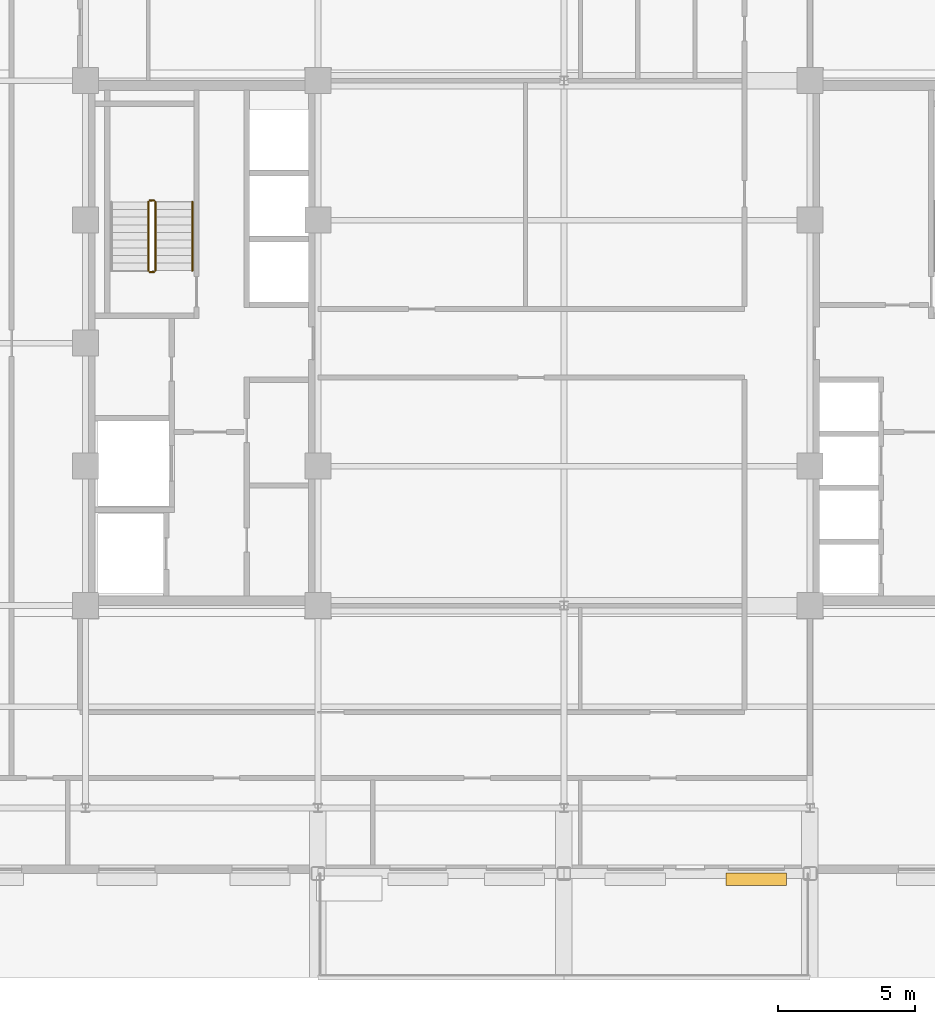
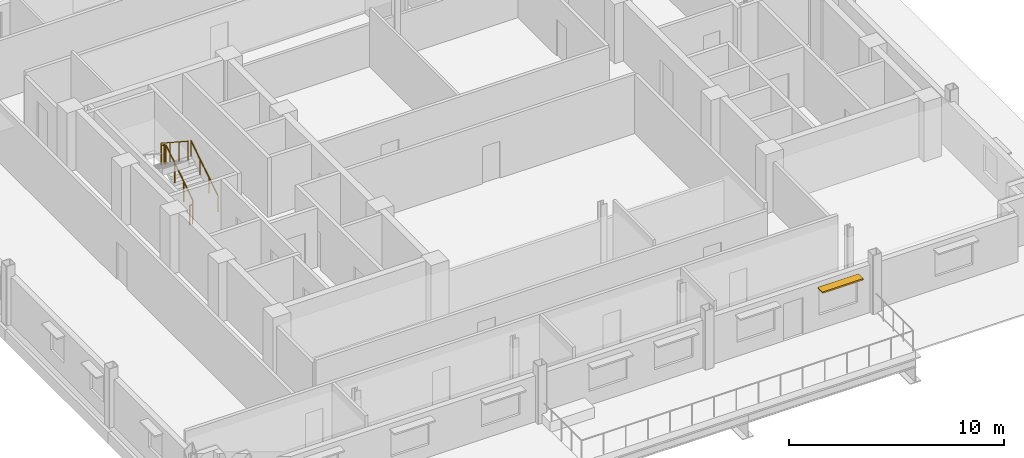
# One storey, part 13 of 16: 5 railings, 1 shading device.
"""IFC4 building model written with IfcOpenShell, lengths in metres."""

from ifc_helpers import new_model, si_unit, direction, frame, origin, origin_2d, place, context, subcontext, project, spatial, rectangle, circle, extrude, source, transform, mapped, material, type_object, type_shapes, element, save


model = new_model("IFC4")

# Units and contexts
model_context = context("Model", 3, precision=1e-05, world=origin(), true_north=direction((0.0, 1.0)))
body_context = subcontext(model_context, "Body", "Model", "MODEL_VIEW")
ifc_project = project(units=[si_unit("LENGTHUNIT", "METRE"), si_unit("AREAUNIT", "SQUARE_METRE"), si_unit("VOLUMEUNIT", "CUBIC_METRE"), si_unit("PLANEANGLEUNIT", "RADIAN"), si_unit("MASSUNIT", "GRAM", prefix="KILO")], contexts=[model_context])

# Site, building, storey
site_placement = place(None, origin())
site = spatial("IfcSite", under=ifc_project, at=site_placement, CompositionType="ELEMENT")
building_placement = place(site_placement, origin())
building = spatial("IfcBuilding", under=site, at=building_placement, Name="Nuvemarco Arch Tower", CompositionType="ELEMENT")
storey_placement = place(building_placement, frame((0.0, 0.0, 209.14990234375)))
storey = spatial("IfcBuildingStorey", under=building, at=storey_placement, Name="L55", CompositionType="ELEMENT", Elevation=209.14990234375)

# Railings
ifc_material_1 = material(Name="Brushed stainless steel handrail", Category="steel")
railing_type_1 = type_object("IfcRailingType", Name="RL-HANDRAIL-900", PredefinedType="HANDRAIL", material=ifc_material_1)
railing_1_placement = place(storey_placement, frame((-13.590087890625, 2.64990234375, 0.1826171875)))
element("IfcRailing", 1, at=railing_1_placement, inside=storey, type_object=railing_type_1, Name="L55 ST-1 stair handrail 1", PredefinedType="HANDRAIL", context=body_context, shape_type="SweptSolid", body=[
    extrude(circle(Radius=0.02392578125, at=origin_2d()), frame((0.0, 0.0, 0.8759765625), z_axis=(0.0, 0.837749427056, 0.546054848405), x_axis=(-1.0, 0.0, 0.0)), (0.0, 0.0, 1.0), 3.008056640625),
    extrude(circle(Radius=0.02099609375, at=origin_2d()), origin(), (0.0, 0.0, 1.0), 0.851806640625),
    extrude(circle(Radius=0.02099609375, at=origin_2d()), frame((0.0, 0.840087890625, 0.547607421875)), (0.0, 0.0, 1.0), 0.851806640625),
    extrude(circle(Radius=0.02099609375, at=origin_2d()), frame((0.0, 1.679931640625, 1.094970703125)), (0.0, 0.0, 1.0), 0.851806640625),
    extrude(circle(Radius=0.02099609375, at=origin_2d()), frame((0.0, 2.52001953125, 1.642578125)), (0.0, 0.0, 1.0), 0.851806640625),
])
ifc_material_2 = material(Name="Painted balustrade steel S355", Category="steel")
railing_type_2 = type_object("IfcRailingType", Name="RL-STAIR-GUARD", PredefinedType="GUARDRAIL", material=ifc_material_2)
railing_2_placement = place(storey_placement, frame((-14.93994140625, 2.64990234375, 0.1826171875)))
element("IfcRailing", 2, at=railing_2_placement, inside=storey, type_object=railing_type_2, Name="L55 ST-1 stair guard 1", PredefinedType="GUARDRAIL", context=body_context, shape_type="SweptSolid", body=[
    extrude(circle(Radius=0.02392578125, at=origin_2d()), frame((0.0, 0.0, 1.09619140625), z_axis=(0.0, 0.837749427056, 0.546054848405), x_axis=(-1.0, 0.0, 0.0)), (0.0, 0.0, 1.0), 3.008056640625),
    extrude(circle(Radius=0.02099609375, at=origin_2d()), origin(), (0.0, 0.0, 1.0), 1.072021484375),
    extrude(circle(Radius=0.02099609375, at=origin_2d()), frame((0.0, 0.840087890625, 0.547607421875)), (0.0, 0.0, 1.0), 1.072021484375),
    extrude(circle(Radius=0.02099609375, at=origin_2d()), frame((0.0, 1.679931640625, 1.094970703125)), (0.0, 0.0, 1.0), 1.072021484375),
    extrude(circle(Radius=0.02099609375, at=origin_2d()), frame((0.0, 2.52001953125, 1.642578125)), (0.0, 0.0, 1.0), 1.072021484375),
])
railing_3_placement = place(storey_placement, frame((-14.989990234375, 5.219970703125, 1.8251953125)))
element("IfcRailing", 3, at=railing_3_placement, inside=storey, type_object=railing_type_2, Name="L55 ST-1 stair guard 2", PredefinedType="GUARDRAIL", context=body_context, shape_type="SweptSolid", body=[
    extrude(circle(Radius=0.02392578125, at=origin_2d()), frame((0.0, 0.0, 1.09619140625), z_axis=(-1.0, 0.0, 0.0), x_axis=(0.0, -1.0, 0.0)), (0.0, 0.0, 1.0), 0.159912109375),
    extrude(circle(Radius=0.02099609375, at=origin_2d()), origin(), (0.0, 0.0, 1.0), 1.072021484375),
    extrude(circle(Radius=0.02099609375, at=origin_2d()), frame((-0.159912109375, 0.0, 0.0)), (0.0, 0.0, 1.0), 1.072021484375),
])
railing_4_placement = place(storey_placement, frame((-15.199951171875, 5.169921875, 2.007568359375)))
element("IfcRailing", 4, at=railing_4_placement, inside=storey, type_object=railing_type_2, Name="L55 ST-1 stair guard 3", PredefinedType="GUARDRAIL", context=body_context, shape_type="SweptSolid", body=[
    extrude(circle(Radius=0.02392578125, at=origin_2d()), frame((0.0, 0.0, 1.09619140625), z_axis=(0.0, -0.837749427056, 0.546054848405), x_axis=(1.0, 0.0, 0.0)), (0.0, 0.0, 1.0), 3.008056640625),
    extrude(circle(Radius=0.02099609375, at=origin_2d()), origin(), (0.0, 0.0, 1.0), 1.072021484375),
    extrude(circle(Radius=0.02099609375, at=origin_2d()), frame((0.0, -0.840087890625, 0.547607421875)), (0.0, 0.0, 1.0), 1.072021484375),
    extrude(circle(Radius=0.02099609375, at=origin_2d()), frame((0.0, -1.679931640625, 1.094970703125)), (0.0, 0.0, 1.0), 1.072021484375),
    extrude(circle(Radius=0.02099609375, at=origin_2d()), frame((0.0, -2.52001953125, 1.642578125)), (0.0, 0.0, 1.0), 1.072021484375),
])
railing_5_placement = place(storey_placement, frame((-14.989990234375, 2.60009765625, 0.0)))
element("IfcRailing", 5, at=railing_5_placement, inside=storey, type_object=railing_type_2, Name="L55 ST-1 stair guard 4", PredefinedType="GUARDRAIL", context=body_context, shape_type="SweptSolid", body=[
    extrude(circle(Radius=0.02392578125, at=origin_2d()), frame((0.0, 0.0, 1.09619140625), z_axis=(-1.0, 0.0, 0.0), x_axis=(0.0, -1.0, 0.0)), (0.0, 0.0, 1.0), 0.159912109375),
    extrude(circle(Radius=0.02099609375, at=origin_2d()), origin(), (0.0, 0.0, 1.0), 1.072021484375),
    extrude(circle(Radius=0.02099609375, at=origin_2d()), frame((-0.159912109375, 0.0, 0.0)), (0.0, 0.0, 1.0), 1.072021484375),
])

# Shading device
ifc_material_3 = material(Name="Anodised aluminium 6063-T6", Category="aluminium")
shading_device_type = type_object("IfcShadingDeviceType", Name="SHD-BRISE-SOLEIL", PredefinedType="USERDEFINED", material=ifc_material_3)
shared_shape = source(origin(), body_context, "Body", "SweptSolid", [
    extrude(rectangle(XDim=2.199951171875, YDim=0.449951171875, at=origin_2d()), origin(), (0.0, 0.0, 1.0), 0.080078125),
])
type_shapes(shading_device_type, [shared_shape])
shading_device_placement = place(storey_placement, frame((7.03759765625, -19.614990234375, 2.324951171875), z_axis=(0.0, 0.0, 1.0), x_axis=(1.0, 0.0, 0.0)))
element("IfcShadingDevice", 6, at=shading_device_placement, inside=storey, type_object=shading_device_type, Name="L55 horizontal brise-soleil sunshade", ObjectType="SUNSHADE", PredefinedType="USERDEFINED", context=body_context, shape_type="MappedRepresentation", body=[
    mapped(shared_shape, transform((0.0, 0.0, 0.0), scale=1.0)),
])

save(model, "model.ifc")
